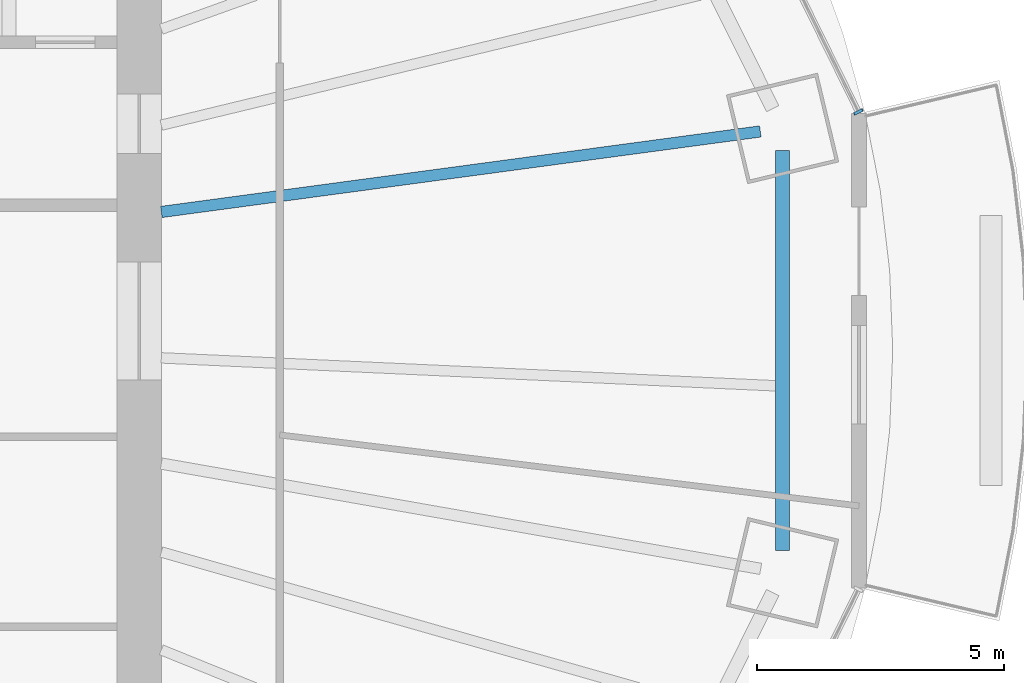
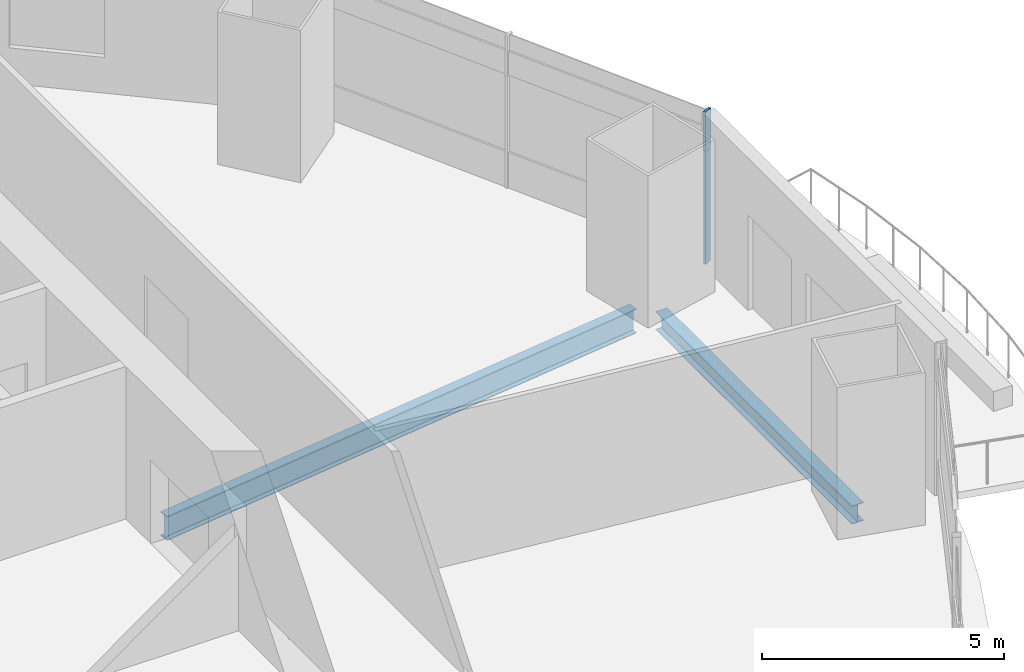
# One storey, part 5 of 16: 2 beams, 2 members, 2 elements without a shape of their own.
"""IFC4 building model written with IfcOpenShell, lengths in metres."""

from ifc_helpers import new_model, si_unit, direction, frame, origin, origin_2d, place, context, subcontext, project, spatial, rectangle, i_section, extrude, material, material_profile, profile_set, type_object, element, aggregate, save


model = new_model("IFC4")

# Units and contexts
model_context = context("Model", 3, precision=1e-05, world=origin(), true_north=direction((0.0, 1.0)))
body_context = subcontext(model_context, "Body", "Model", "MODEL_VIEW")
ifc_project = project(units=[si_unit("LENGTHUNIT", "METRE"), si_unit("AREAUNIT", "SQUARE_METRE"), si_unit("VOLUMEUNIT", "CUBIC_METRE"), si_unit("PLANEANGLEUNIT", "RADIAN"), si_unit("MASSUNIT", "GRAM", prefix="KILO")], contexts=[model_context])

# Site, building, storey
site_placement = place(None, origin())
site = spatial("IfcSite", under=ifc_project, at=site_placement, CompositionType="ELEMENT")
building_placement = place(site_placement, origin())
building = spatial("IfcBuilding", under=site, at=building_placement, Name="Marenthal Gate Tower", CompositionType="ELEMENT")
storey_placement = place(building_placement, frame((0.0, 0.0, 268.949951171875)))
storey = spatial("IfcBuildingStorey", under=building, at=storey_placement, Name="L60", CompositionType="ELEMENT", Elevation=268.949951171875)

# Curtain wall, member
ifc_material_1 = material(Name="Aluminium and glass", Category="aluminium")
curtain_wall_type_1 = type_object("IfcCurtainWallType", Name="Curtain wall typical mid", PredefinedType="NOTDEFINED", material=ifc_material_1)
curtain_wall_1_placement = place(storey_placement, origin())
curtain_wall_1 = element("IfcCurtainWall", 1, at=curtain_wall_1_placement, inside=storey, type_object=curtain_wall_type_1, Name="Curtain wall L60 bay 1", PredefinedType="NOTDEFINED")
ifc_material_2 = material(Name="Aluminium", Category="aluminium")
ifc_material_profile_1 = material_profile(ifc_material_2, rectangle(XDim=0.179931640625, YDim=0.06005859375, at=origin_2d()), Name="60x180 aluminium mullion")
ifc_profile_set_1 = profile_set([ifc_material_profile_1], Name="Aluminium")
member_type_1 = type_object("IfcMemberType", Name="Mullion 60x180 typical mid", PredefinedType="MULLION", material=ifc_profile_set_1)
member_1_placement = place(storey_placement, frame((30.58349609375, 4.239501953125, 0.0), z_axis=(0.0, 0.0, 1.0), x_axis=(-0.896920632002, -0.442191564697, 0.0)))
member_1 = element("IfcMember", 2, at=member_1_placement, type_object=member_type_1, Name="Mullion L60 bay 1.1", PredefinedType="MULLION", context=body_context, shape_type="SweptSolid", body=[
    extrude(rectangle(XDim=0.179931640625, YDim=0.06005859375, at=origin_2d()), origin(), (0.0, 0.0, 1.0), 2.85009765625),
])
aggregate(curtain_wall_1, [member_1])

ifc_material_3 = material(Name="Aluminium and glass", Category="aluminium")
curtain_wall_type_2 = type_object("IfcCurtainWallType", Name="Curtain wall crown clad", PredefinedType="NOTDEFINED", material=ifc_material_3)
curtain_wall_2_placement = place(storey_placement, origin())
curtain_wall_2 = element("IfcCurtainWall", 3, at=curtain_wall_2_placement, inside=storey, type_object=curtain_wall_type_2, Name="Curtain wall L60 bay 1 head band", PredefinedType="NOTDEFINED")
ifc_material_4 = material(Name="Aluminium", Category="aluminium")
ifc_material_profile_2 = material_profile(ifc_material_4, rectangle(XDim=0.199951171875, YDim=0.06005859375, at=origin_2d()), Name="60x200 aluminium mullion")
ifc_profile_set_2 = profile_set([ifc_material_profile_2], Name="Aluminium")
member_type_2 = type_object("IfcMemberType", Name="Mullion 60x200 crown clad", PredefinedType="MULLION", material=ifc_profile_set_2)
member_2_placement = place(storey_placement, frame((30.58349609375, 4.239501953125, 2.85009765625), z_axis=(0.0, 0.0, 1.0), x_axis=(-0.896920632002, -0.442191564697, 0.0)))
member_2 = element("IfcMember", 4, at=member_2_placement, type_object=member_type_2, Name="Mullion L60 bay 1.1", PredefinedType="MULLION", context=body_context, shape_type="SweptSolid", body=[
    extrude(rectangle(XDim=0.199951171875, YDim=0.06005859375, at=origin_2d()), origin(), (0.0, 0.0, 1.0), 1.0),
])
aggregate(curtain_wall_2, [member_2])

# Beams
ifc_material_5 = material(Name="Steel S355", Category="steel")
ifc_material_profile_3 = material_profile(ifc_material_5, i_section(OverallWidth=0.279052734375, OverallDepth=0.4619140625, WebThickness=0.0107421875, FlangeThickness=0.017333984375, FilletRadius=0.010009765625, at=origin_2d()), Name="W460X113")
ifc_profile_set_3 = profile_set([ifc_material_profile_3], Name="Steel S355")
beam_type_1 = type_object("IfcBeamType", Name="W460X113 beam", PredefinedType="BEAM", material=ifc_profile_set_3)
beam_1_placement = place(storey_placement, frame((29.047119140625, -4.653076171875, -0.410888671875), z_axis=(0.0, 1.0, 0.0), x_axis=(-1.0, 0.0, 0.0)))
element("IfcBeam", 5, at=beam_1_placement, inside=storey, type_object=beam_type_1, Name="BM-L60-56", PredefinedType="BEAM", context=body_context, shape_type="SweptSolid", body=[
    extrude(i_section(OverallWidth=0.279052734375, OverallDepth=0.4619140625, WebThickness=0.0107421875, FlangeThickness=0.017333984375, FilletRadius=0.010009765625, at=origin_2d()), origin(), (0.0, 0.0, 1.0), 8.106201171875),
])
ifc_material_6 = material(Name="Steel S355", Category="steel")
ifc_material_profile_4 = material_profile(ifc_material_6, i_section(OverallWidth=0.22900390625, OverallDepth=0.612060546875, WebThickness=0.011962890625, FlangeThickness=0.01953125, FilletRadius=0.0126953125, at=origin_2d()), Name="W610X125")
ifc_profile_set_4 = profile_set([ifc_material_profile_4], Name="Steel S355")
beam_type_2 = type_object("IfcBeamType", Name="W610X125 beam", PredefinedType="BEAM", material=ifc_profile_set_4)
beam_2_placement = place(storey_placement, frame((28.59619140625, 3.843505859375, -0.48583984375), z_axis=(-0.991087639187, -0.133211453905, 0.0), x_axis=(0.133211453905, -0.991087639187, 0.0)))
element("IfcBeam", 6, at=beam_2_placement, inside=storey, type_object=beam_type_2, Name="BM-L60-01", PredefinedType="BEAM", context=body_context, shape_type="SweptSolid", body=[
    extrude(i_section(OverallWidth=0.22900390625, OverallDepth=0.612060546875, WebThickness=0.011962890625, FlangeThickness=0.01953125, FilletRadius=0.0126953125, at=origin_2d()), origin(), (0.0, 0.0, 1.0), 12.25537109375),
])

save(model, "model.ifc")
